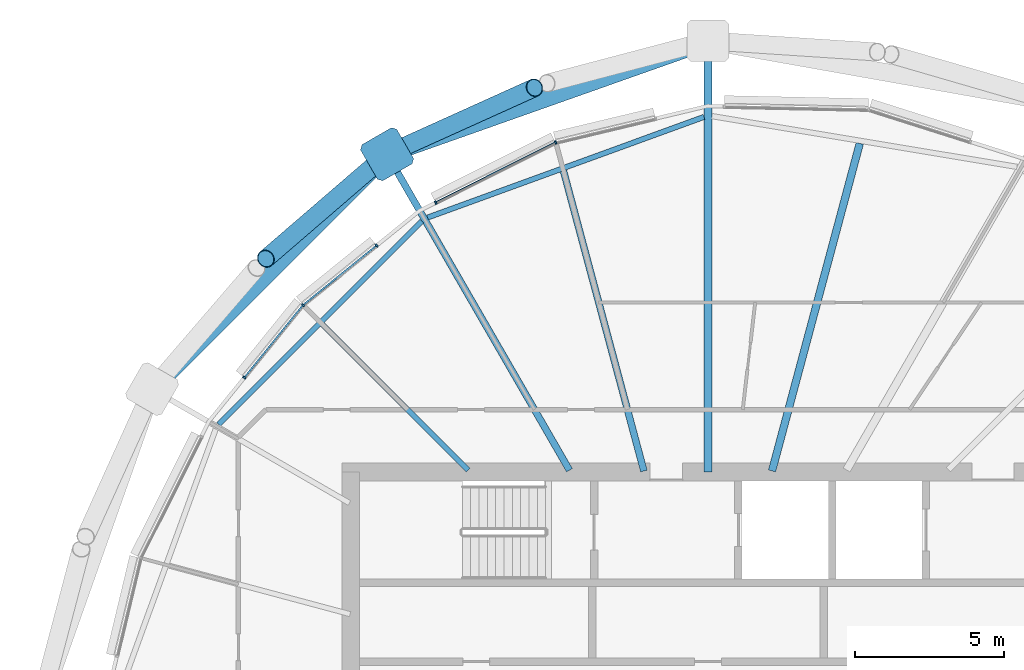
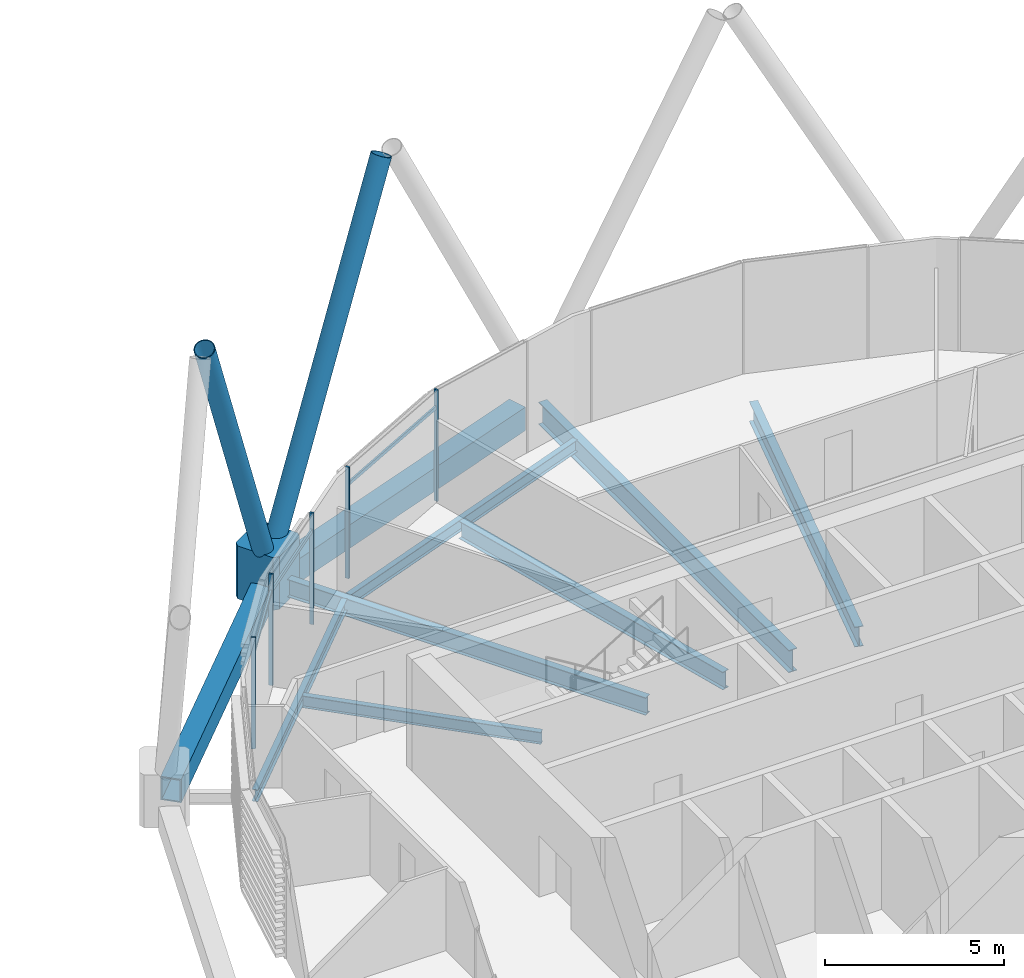
# One storey, part 18 of 36: 11 members, 9 beams, 1 element without a shape of its own.
"""IFC4 building model written with IfcOpenShell, lengths in metres."""

from ifc_helpers import new_model, si_unit, direction, frame, origin, origin_2d, place, context, subcontext, project, spatial, polyline, rectangle, hollow_rectangle, hollow_circle, i_section, outline, extrude, material, material_profile, profile_set, type_object, element, aggregate, save


model = new_model("IFC4")

# Units and contexts
model_context = context("Model", 3, precision=1e-05, world=origin(), true_north=direction((0.0, 1.0)))
body_context = subcontext(model_context, "Body", "Model", "MODEL_VIEW")
ifc_project = project(units=[si_unit("LENGTHUNIT", "METRE"), si_unit("AREAUNIT", "SQUARE_METRE"), si_unit("VOLUMEUNIT", "CUBIC_METRE"), si_unit("PLANEANGLEUNIT", "RADIAN"), si_unit("MASSUNIT", "GRAM", prefix="KILO")], contexts=[model_context])

# Site, building, storey
site_placement = place(None, origin())
site = spatial("IfcSite", under=ifc_project, at=site_placement, CompositionType="ELEMENT")
building_placement = place(site_placement, origin())
building = spatial("IfcBuilding", under=site, at=building_placement, Name="Rimbun Link Towers", CompositionType="ELEMENT")
storey_placement = place(building_placement, frame((0.0, 0.0, 193.10009765625)))
storey = spatial("IfcBuildingStorey", under=building, at=storey_placement, Name="L47", CompositionType="ELEMENT", Elevation=193.10009765625)

# Curtain wall, members
ifc_material_1 = material(Name="Aluminium 6063-T6 and low-iron glass", Category="aluminium")
curtain_wall_type = type_object("IfcCurtainWallType", Name="CW1-Z3 unitised vision wall (zone 3)", PredefinedType="NOTDEFINED", material=ifc_material_1)
curtain_wall_placement = place(storey_placement, origin())
curtain_wall = element("IfcCurtainWall", 1, at=curtain_wall_placement, inside=storey, type_object=curtain_wall_type, Name="CW1 L47 T2", PredefinedType="NOTDEFINED")
ifc_material_2 = material(Name="Aluminium 6063-T6", Category="aluminium")
ifc_material_profile_1 = material_profile(ifc_material_2, rectangle(XDim=0.1201171875, YDim=0.06005859375, at=origin_2d()), Name="MULLION 60X120")
ifc_profile_set_1 = profile_set([ifc_material_profile_1], Name="Aluminium 6063-T6")
member_type_1 = type_object("IfcMemberType", Name="CW1 mullion 60X120", PredefinedType="MULLION", material=ifc_profile_set_1)
member_1_placement = place(storey_placement, frame((26.634033203125, 19.07275390625, 0.0), z_axis=(0.0, 0.0, 1.0), x_axis=(-0.342971734757, 0.939345723979, 0.0)))
member_1 = element("IfcMember", 2, at=member_1_placement, type_object=member_type_1, Name="CW1 mullion", PredefinedType="MULLION", context=body_context, shape_type="SweptSolid", body=[
    extrude(rectangle(XDim=0.1201171875, YDim=0.06005859375, at=origin_2d()), origin(), (0.0, 0.0, 1.0), 3.7998046875),
])
member_2_placement = place(storey_placement, frame((22.6025390625, 17.048583984375, 0.0), z_axis=(0.0, 0.0, 1.0), x_axis=(-0.448772432233, 0.893646073156, 0.0)))
member_2 = element("IfcMember", 3, at=member_2_placement, type_object=member_type_1, Name="CW1 mullion", PredefinedType="MULLION", context=body_context, shape_type="SweptSolid", body=[
    extrude(rectangle(XDim=0.1201171875, YDim=0.06005859375, at=origin_2d()), origin(), (0.0, 0.0, 1.0), 3.7998046875),
])
member_3_placement = place(storey_placement, frame((18.14404296875, 13.60595703125, 0.0), z_axis=(0.0, 0.0, 1.0), x_axis=(-0.707106781187, 0.707106781187, 0.0)))
member_3 = element("IfcMember", 4, at=member_3_placement, type_object=member_type_1, Name="CW1 mullion", PredefinedType="MULLION", context=body_context, shape_type="SweptSolid", body=[
    extrude(rectangle(XDim=0.1201171875, YDim=0.06005859375, at=origin_2d()), origin(), (0.0, 0.0, 1.0), 3.7998046875),
])
member_4_placement = place(storey_placement, frame((20.61767578125, 15.6083984375, 0.0), z_axis=(0.0, 0.0, 1.0), x_axis=(-0.629156447139, 0.777278691991, 0.0)))
member_4 = element("IfcMember", 5, at=member_4_placement, type_object=member_type_1, Name="CW1 mullion", PredefinedType="MULLION", context=body_context, shape_type="SweptSolid", body=[
    extrude(rectangle(XDim=0.1201171875, YDim=0.06005859375, at=origin_2d()), origin(), (0.0, 0.0, 1.0), 3.7998046875),
])
member_5_placement = place(storey_placement, frame((16.1728515625, 11.17138671875, 0.0), z_axis=(0.0, 0.0, 1.0), x_axis=(-0.777278691991, 0.629156447139, 0.0)))
member_5 = element("IfcMember", 6, at=member_5_placement, type_object=member_type_1, Name="CW1 mullion", PredefinedType="MULLION", context=body_context, shape_type="SweptSolid", body=[
    extrude(rectangle(XDim=0.1201171875, YDim=0.06005859375, at=origin_2d()), origin(), (0.0, 0.0, 1.0), 3.7998046875),
])
ifc_material_3 = material(Name="Aluminium 6063-T6", Category="aluminium")
ifc_material_profile_2 = material_profile(ifc_material_3, rectangle(XDim=0.06005859375, YDim=0.1201171875, at=origin_2d()), Name="TRANSOM 60X120")
ifc_profile_set_2 = profile_set([ifc_material_profile_2], Name="Aluminium 6063-T6")
member_type_2 = type_object("IfcMemberType", Name="CW1 transom 60X120", PredefinedType="USERDEFINED", material=ifc_profile_set_2)
member_6_placement = place(storey_placement, frame((22.63037109375, 17.060302734375, 3.199951171875), z_axis=(0.893645737458, 0.448773100713, 0.0), x_axis=(-0.448773100713, 0.893645737458, 0.0)))
member_6 = element("IfcMember", 7, at=member_6_placement, type_object=member_type_2, Name="CW1 transom", ObjectType="TRANSOM", PredefinedType="USERDEFINED", context=body_context, shape_type="SweptSolid", body=[
    extrude(rectangle(XDim=0.06005859375, YDim=0.1201171875, at=origin_2d()), origin(), (0.0, 0.0, 1.0), 4.444091796875),
])
member_7_placement = place(storey_placement, frame((18.17333984375, 13.62744140625, 3.199951171875), z_axis=(0.777255817356, 0.629184706097, 0.0), x_axis=(-0.629184706097, 0.777255817356, 0.0)))
member_7 = element("IfcMember", 8, at=member_7_placement, type_object=member_type_2, Name="CW1 transom", ObjectType="TRANSOM", PredefinedType="USERDEFINED", context=body_context, shape_type="SweptSolid", body=[
    extrude(rectangle(XDim=0.06005859375, YDim=0.1201171875, at=origin_2d()), origin(), (0.0, 0.0, 1.0), 3.1162109375),
])
member_8_placement = place(storey_placement, frame((16.193359375, 11.193359375, 3.199951171875), z_axis=(0.629170742424, 0.777267120672, 0.0), x_axis=(-0.777267120672, 0.629170742424, 0.0)))
member_8 = element("IfcMember", 9, at=member_8_placement, type_object=member_type_2, Name="CW1 transom", ObjectType="TRANSOM", PredefinedType="USERDEFINED", context=body_context, shape_type="SweptSolid", body=[
    extrude(rectangle(XDim=0.06005859375, YDim=0.1201171875, at=origin_2d()), origin(), (0.0, 0.0, 1.0), 3.066162109375),
])
aggregate(curtain_wall, [member_1, member_2, member_3, member_4, member_5, member_6, member_7, member_8])

# Members
ifc_material_4 = material(Name="Steel S355J2H", Category="steel")
ifc_material_profile_3 = material_profile(ifc_material_4, hollow_circle(Radius=0.3046875, WallThickness=0.02490234375, at=origin_2d()), Name="Diagrid diagonal CHS 610x25")
ifc_profile_set_3 = profile_set([ifc_material_profile_3], Name="Steel S355J2H")
member_type_3 = type_object("IfcMemberType", Name="Diagrid diagonal CHS 610x25", PredefinedType="BRACE", material=ifc_profile_set_3)
member_9_placement = place(storey_placement, frame((21.1708984375, 18.765869140625, 0.44775390625), z_axis=(0.405010586719, 0.182933529453, 0.895824619246), x_axis=(-0.411634423405, 0.911349055778, 0.0)))
element("IfcMember", 10, at=member_9_placement, inside=storey, type_object=member_type_3, Name="Diagrid diagonal T2 L47-L50 05a", PredefinedType="BRACE", context=body_context, shape_type="SweptSolid", body=[
    extrude(hollow_circle(Radius=0.3046875, WallThickness=0.02490234375, at=origin_2d()), origin(), (0.0, 0.0, 1.0), 11.7255859375),
])
member_10_placement = place(storey_placement, frame((20.801513671875, 18.530517578125, 0.44873046875), z_axis=(-0.333814148784, -0.2876765553, 0.897669378782), x_axis=(0.652816901103, -0.757515738209, 0.0)))
element("IfcMember", 11, at=member_10_placement, inside=storey, type_object=member_type_3, Name="Diagrid diagonal T2 L47-L50 05b", PredefinedType="BRACE", context=body_context, shape_type="SweptSolid", body=[
    extrude(hollow_circle(Radius=0.3046875, WallThickness=0.02490234375, at=origin_2d()), origin(), (0.0, 0.0, 1.0), 11.69970703125),
])
ifc_material_5 = material(Name="Cast steel G20Mn5+QT, Rp0.2 300 MPa", Category="steel")
ifc_material_profile_4 = material_profile(ifc_material_5, outline(polyline([(0.699951171875, -0.570068359375), (0.699951171875, 0.570068359375), (0.570068359375, 0.699951171875), (-0.570068359375, 0.699951171875), (-0.699951171875, 0.570068359375), (-0.699951171875, -0.570068359375), (-0.570068359375, -0.699951171875), (0.570068359375, -0.699951171875), (0.699951171875, -0.570068359375)])), Name="NODE 1400x1400")
ifc_profile_set_4 = profile_set([ifc_material_profile_4], Name="Cast steel G20Mn5+QT, Rp0.2 300 MPa")
member_type_4 = type_object("IfcMemberType", Name="Diagrid node cast 1400", PredefinedType="USERDEFINED", material=ifc_profile_set_4)
member_11_placement = place(storey_placement, frame((20.96826171875, 18.67431640625, -0.900146484375), z_axis=(0.0, 0.0, 1.0), x_axis=(-0.5, 0.866025403784, 0.0)))
element("IfcMember", 12, at=member_11_placement, inside=storey, type_object=member_type_4, Name="Diagrid node L47 05", ObjectType="Diagrid node", PredefinedType="USERDEFINED", context=body_context, shape_type="SweptSolid", body=[
    extrude(outline(polyline([(0.699951171875, -0.570068359375), (0.699951171875, 0.570068359375), (0.570068359375, 0.699951171875), (-0.570068359375, 0.699951171875), (-0.699951171875, 0.570068359375), (-0.699951171875, -0.570068359375), (-0.570068359375, -0.699951171875), (0.570068359375, -0.699951171875), (0.699951171875, -0.570068359375)])), origin(), (0.0, 0.0, 1.0), 1.800048828125),
])

# Beams
ifc_material_6 = material(Name="Steel S355J2", Category="steel")
ifc_material_profile_5 = material_profile(ifc_material_6, hollow_rectangle(XDim=0.60009765625, YDim=0.800048828125, WallThickness=0.0400390625, at=origin_2d()), Name="Exoskeleton ring girder BOX 600x800x40")
ifc_profile_set_5 = profile_set([ifc_material_profile_5], Name="Steel S355J2")
beam_type_1 = type_object("IfcBeamType", Name="Exoskeleton ring girder BOX 600x800x40", PredefinedType="BEAM", material=ifc_profile_set_5)
beam_1_placement = place(storey_placement, frame((31.090087890625, 22.251708984375, -0.56005859375), z_axis=(-0.942846970669, -0.333226034247, 0.0), x_axis=(0.333226034247, -0.942846970669, 0.0)))
element("IfcBeam", 13, at=beam_1_placement, inside=storey, type_object=beam_type_1, Name="Exoskeleton ring girder L47 01", PredefinedType="BEAM", context=body_context, shape_type="SweptSolid", body=[
    extrude(hollow_rectangle(XDim=0.60009765625, YDim=0.800048828125, WallThickness=0.0400390625, at=origin_2d()), origin(), (0.0, 0.0, 1.0), 10.03515625),
])
beam_2_placement = place(storey_placement, frame((20.473388671875, 18.179443359375, -0.56005859375), z_axis=(-0.707106781187, -0.707106781187, 0.0), x_axis=(0.707106781187, -0.707106781187, 0.0)))
element("IfcBeam", 14, at=beam_2_placement, inside=storey, type_object=beam_type_1, Name="Exoskeleton ring girder L47 02", PredefinedType="BEAM", context=body_context, shape_type="SweptSolid", body=[
    extrude(hollow_rectangle(XDim=0.60009765625, YDim=0.800048828125, WallThickness=0.0400390625, at=origin_2d()), origin(), (0.0, 0.0, 1.0), 9.761962890625),
])
ifc_material_7 = material(Name="Steel S355J2", Category="steel")
ifc_material_profile_6 = material_profile(ifc_material_7, i_section(OverallWidth=0.177978515625, OverallDepth=0.406494140625, WebThickness=0.0078125, FlangeThickness=0.0126953125, at=origin_2d()), Name="UB 406x178x60")
ifc_profile_set_6 = profile_set([ifc_material_profile_6], Name="Steel S355J2")
beam_type_2 = type_object("IfcBeamType", Name="UB 406x178x60", PredefinedType="BEAM", material=ifc_profile_set_6)
beam_3_placement = place(storey_placement, frame((23.686279296875, 8.063720703125, -0.353271484375), z_axis=(-0.707106781187, 0.707106781187, 0.0), x_axis=(-0.707106781187, -0.707106781187, 0.0)))
element("IfcBeam", 15, at=beam_3_placement, inside=storey, type_object=beam_type_2, Name="Radial beam T2 L47 06", PredefinedType="BEAM", context=body_context, shape_type="SweptSolid", body=[
    extrude(i_section(OverallWidth=0.177978515625, OverallDepth=0.406494140625, WebThickness=0.0078125, FlangeThickness=0.0126953125, at=origin_2d()), origin(), (0.0, 0.0, 1.0), 6.9169921875),
])
beam_4_placement = place(storey_placement, frame((31.61572265625, 19.92919921875, -0.353271484375), z_axis=(-0.939599982464, -0.342274557852, 0.0), x_axis=(0.342274557852, -0.939599982464, 0.0)))
element("IfcBeam", 16, at=beam_4_placement, inside=storey, type_object=beam_type_2, Name="Edge beam T2 L47 03-05", PredefinedType="BEAM", context=body_context, shape_type="SweptSolid", body=[
    extrude(i_section(OverallWidth=0.177978515625, OverallDepth=0.406494140625, WebThickness=0.0078125, FlangeThickness=0.0126953125, at=origin_2d()), origin(), (0.0, 0.0, 1.0), 9.88330078125),
])
beam_5_placement = place(storey_placement, frame((22.135986328125, 16.422607421875, -0.353271484375), z_axis=(-0.707119424914, -0.707094137233, 0.0), x_axis=(0.707094137233, -0.707119424914, 0.0)))
element("IfcBeam", 17, at=beam_5_placement, inside=storey, type_object=beam_type_2, Name="Edge beam T2 L47 05-07", PredefinedType="BEAM", context=body_context, shape_type="SweptSolid", body=[
    extrude(i_section(OverallWidth=0.177978515625, OverallDepth=0.406494140625, WebThickness=0.0078125, FlangeThickness=0.0126953125, at=origin_2d()), origin(), (0.0, 0.0, 1.0), 9.654541015625),
])
ifc_material_8 = material(Name="Steel S355J2", Category="steel")
ifc_material_profile_7 = material_profile(ifc_material_8, i_section(OverallWidth=0.2275390625, OverallDepth=0.6025390625, WebThickness=0.010498046875, FlangeThickness=0.014892578125, at=origin_2d()), Name="UB 610x229x101")
ifc_profile_set_7 = profile_set([ifc_material_profile_7], Name="Steel S355J2")
beam_type_3 = type_object("IfcBeamType", Name="UB 610x229x101", PredefinedType="BEAM", material=ifc_profile_set_7)
beam_6_placement = place(storey_placement, frame((29.598388671875, 8.030517578125, -0.451416015625), z_axis=(-0.258838562818, 0.965920596322, 0.0), x_axis=(-0.965920596322, -0.258838562818, 0.0)))
element("IfcBeam", 18, at=beam_6_placement, inside=storey, type_object=beam_type_3, Name="Radial beam T2 L47 04", PredefinedType="BEAM", context=body_context, shape_type="SweptSolid", body=[
    extrude(i_section(OverallWidth=0.2275390625, OverallDepth=0.6025390625, WebThickness=0.010498046875, FlangeThickness=0.014892578125, at=origin_2d()), origin(), (0.0, 0.0, 1.0), 10.439453125),
])
beam_7_placement = place(storey_placement, frame((27.097900390625, 8.057861328125, -0.451416015625), z_axis=(-0.500008806729, 0.866020319158, 0.0), x_axis=(-0.866020319158, -0.500008806729, 0.0)))
element("IfcBeam", 19, at=beam_7_placement, inside=storey, type_object=beam_type_3, Name="Radial beam T2 L47 05", PredefinedType="BEAM", context=body_context, shape_type="SweptSolid", body=[
    extrude(i_section(OverallWidth=0.2275390625, OverallDepth=0.6025390625, WebThickness=0.010498046875, FlangeThickness=0.014892578125, at=origin_2d()), origin(), (0.0, 0.0, 1.0), 11.759033203125),
])
ifc_material_9 = material(Name="Steel S355J2", Category="steel")
ifc_material_profile_8 = material_profile(ifc_material_9, i_section(OverallWidth=0.253662109375, OverallDepth=0.68359375, WebThickness=0.012451171875, FlangeThickness=0.01904296875, at=origin_2d()), Name="UB 686x254x140")
ifc_profile_set_8 = profile_set([ifc_material_profile_8], Name="Steel S355J2")
beam_type_4 = type_object("IfcBeamType", Name="UB 686x254x140", PredefinedType="BEAM", material=ifc_profile_set_8)
beam_8_placement = place(storey_placement, frame((33.902587890625, 8.03369140625, -0.491943359375), z_axis=(0.258828204443, 0.965923372005, 0.0), x_axis=(-0.965923372005, 0.258828204443, 0.0)))
element("IfcBeam", 20, at=beam_8_placement, inside=storey, type_object=beam_type_4, Name="Radial beam T2 L47 02", PredefinedType="BEAM", context=body_context, shape_type="SweptSolid", body=[
    extrude(i_section(OverallWidth=0.253662109375, OverallDepth=0.68359375, WebThickness=0.012451171875, FlangeThickness=0.01904296875, at=origin_2d()), origin(), (0.0, 0.0, 1.0), 11.392578125),
])
ifc_material_10 = material(Name="Steel S355J2", Category="steel")
ifc_material_profile_9 = material_profile(ifc_material_10, i_section(OverallWidth=0.2666015625, OverallDepth=0.76220703125, WebThickness=0.014404296875, FlangeThickness=0.021484375, at=origin_2d()), Name="UB 762x267x173")
ifc_profile_set_9 = profile_set([ifc_material_profile_9], Name="Steel S355J2")
beam_type_5 = type_object("IfcBeamType", Name="UB 762x267x173", PredefinedType="BEAM", material=ifc_profile_set_9)
beam_9_placement = place(storey_placement, frame((31.75, 8.0009765625, -0.53125), z_axis=(0.0, 1.0, 0.0), x_axis=(-1.0, 0.0, 0.0)))
element("IfcBeam", 21, at=beam_9_placement, inside=storey, type_object=beam_type_5, Name="Radial beam T2 L47 03", PredefinedType="BEAM", context=body_context, shape_type="SweptSolid", body=[
    extrude(i_section(OverallWidth=0.2666015625, OverallDepth=0.76220703125, WebThickness=0.014404296875, FlangeThickness=0.021484375, at=origin_2d()), origin(), (0.0, 0.0, 1.0), 13.984130859375),
])

save(model, "model.ifc")
